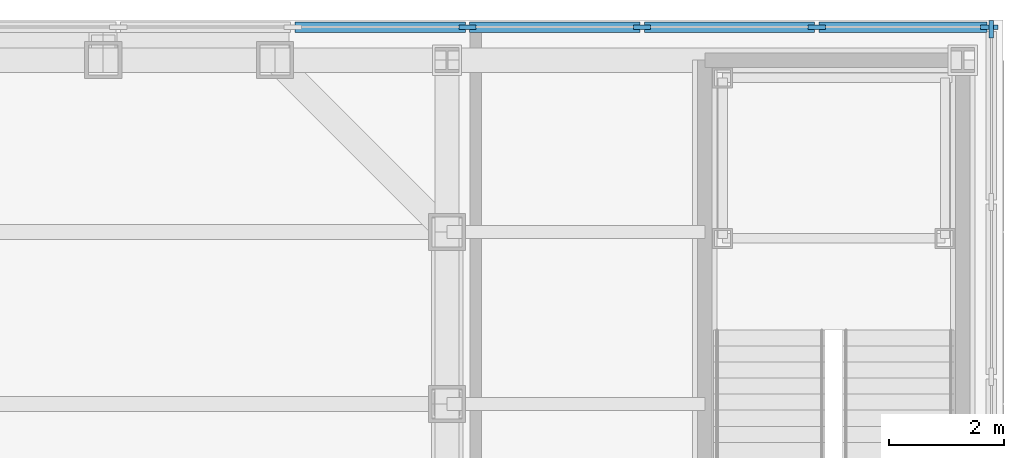
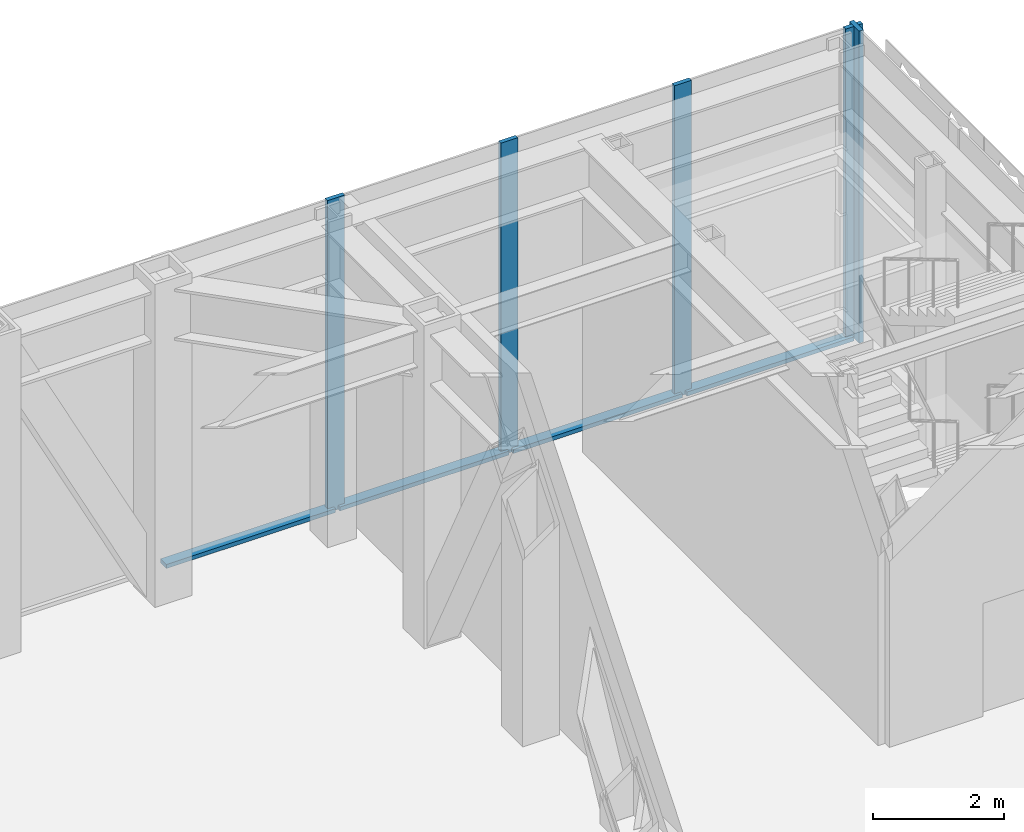
# One storey, part 12 of 32: 9 members, 2 elements without a shape of their own.
"""IFC4 building model written with IfcOpenShell, lengths in metres."""

from ifc_helpers import new_model, si_unit, direction, frame, origin, origin_2d, place, context, subcontext, project, spatial, rectangle, extrude, material, layer, layer_set, material_profile, profile_set, type_object, element, aggregate, save


model = new_model("IFC4")

# Units and contexts
model_context = context("Model", 3, precision=1e-05, world=origin(), true_north=direction((0.0, 1.0)))
body_context = subcontext(model_context, "Body", "Model", "MODEL_VIEW")
ifc_project = project(units=[si_unit("LENGTHUNIT", "METRE"), si_unit("AREAUNIT", "SQUARE_METRE"), si_unit("VOLUMEUNIT", "CUBIC_METRE"), si_unit("PLANEANGLEUNIT", "RADIAN"), si_unit("MASSUNIT", "GRAM", prefix="KILO")], contexts=[model_context])

# Site, building, storey
site_placement = place(None, origin())
site = spatial("IfcSite", under=ifc_project, at=site_placement, CompositionType="ELEMENT")
building_placement = place(site_placement, origin())
building = spatial("IfcBuilding", under=site, at=building_placement, Name="Chuquiago Exchange Tower", CompositionType="ELEMENT")
storey_placement = place(building_placement, frame((0.0, 0.0, 13.5)))
storey = spatial("IfcBuildingStorey", under=building, at=storey_placement, Name="L02", CompositionType="ELEMENT", Elevation=13.5)

# Curtain wall, member
ifc_material_1 = material(Name="Aluminium curtain wall system", Category="aluminium")
ifc_layer = layer(ifc_material_1, 0.300048828125)
ifc_layer_set = layer_set([ifc_layer], Name="CW4 podium curtain wall")
curtain_wall_type = type_object("IfcCurtainWallType", Name="CW4 podium curtain wall", PredefinedType="NOTDEFINED", material=ifc_layer_set)
curtain_wall_1_placement = place(storey_placement, origin())
curtain_wall_1 = element("IfcCurtainWall", 1, at=curtain_wall_1_placement, inside=storey, type_object=curtain_wall_type, Name="CW4 curtain wall L02", PredefinedType="NOTDEFINED")
ifc_material_2 = material(Name="Aluminium mullion, pale anodised", Category="aluminium")
ifc_material_profile_1 = material_profile(ifc_material_2, rectangle(XDim=0.074951171875, YDim=0.300048828125, at=origin_2d()), Name="AL 75x300")
ifc_profile_set_1 = profile_set([ifc_material_profile_1], Name="Aluminium mullion, pale anodised")
member_type_1 = type_object("IfcMemberType", Name="CW4-M mullion 75x300", PredefinedType="MULLION", material=ifc_profile_set_1)
member_1_placement = place(storey_placement, frame((54.5, 45.53759765625, 0.0), z_axis=(0.0, 0.0, 1.0), x_axis=(-1.0, 0.0, 0.0)))
member_1 = element("IfcMember", 2, at=member_1_placement, type_object=member_type_1, Name="CW4 mullion 22", PredefinedType="MULLION", context=body_context, shape_type="SweptSolid", body=[
    extrude(rectangle(XDim=0.074951171875, YDim=0.300048828125, at=origin_2d()), origin(), (0.0, 0.0, 1.0), 5.800048828125),
])
aggregate(curtain_wall_1, [member_1])

# Curtain wall, members
curtain_wall_2_placement = place(storey_placement, origin())
curtain_wall_2 = element("IfcCurtainWall", 3, at=curtain_wall_2_placement, inside=storey, type_object=curtain_wall_type, Name="CW4 curtain wall L02", PredefinedType="NOTDEFINED")
member_2_placement = place(storey_placement, frame((54.46240234375, 45.574951171875, 0.0), z_axis=(0.0, 0.0, 1.0), x_axis=(0.0, -1.0, 0.0)))
member_2 = element("IfcMember", 4, at=member_2_placement, type_object=member_type_1, Name="CW4 mullion 1", PredefinedType="MULLION", context=body_context, shape_type="SweptSolid", body=[
    extrude(rectangle(XDim=0.074951171875, YDim=0.300048828125, at=origin_2d()), origin(), (0.0, 0.0, 1.0), 5.800048828125),
])
member_3_placement = place(storey_placement, frame((51.452392578125, 45.574951171875, 0.0), z_axis=(0.0, 0.0, 1.0), x_axis=(0.0, -1.0, 0.0)))
member_3 = element("IfcMember", 5, at=member_3_placement, type_object=member_type_1, Name="CW4 mullion 2", PredefinedType="MULLION", context=body_context, shape_type="SweptSolid", body=[
    extrude(rectangle(XDim=0.074951171875, YDim=0.300048828125, at=origin_2d()), origin(), (0.0, 0.0, 1.0), 5.800048828125),
])
member_4_placement = place(storey_placement, frame((48.40478515625, 45.574951171875, 0.0), z_axis=(0.0, 0.0, 1.0), x_axis=(0.0, -1.0, 0.0)))
member_4 = element("IfcMember", 6, at=member_4_placement, type_object=member_type_1, Name="CW4 mullion 3", PredefinedType="MULLION", context=body_context, shape_type="SweptSolid", body=[
    extrude(rectangle(XDim=0.074951171875, YDim=0.300048828125, at=origin_2d()), origin(), (0.0, 0.0, 1.0), 5.800048828125),
])
member_5_placement = place(storey_placement, frame((45.357177734375, 45.574951171875, 0.0), z_axis=(0.0, 0.0, 1.0), x_axis=(0.0, -1.0, 0.0)))
member_5 = element("IfcMember", 7, at=member_5_placement, type_object=member_type_1, Name="CW4 mullion 4", PredefinedType="MULLION", context=body_context, shape_type="SweptSolid", body=[
    extrude(rectangle(XDim=0.074951171875, YDim=0.300048828125, at=origin_2d()), origin(), (0.0, 0.0, 1.0), 5.800048828125),
])
ifc_material_3 = material(Name="Aluminium transom, pale anodised", Category="aluminium")
ifc_material_profile_2 = material_profile(ifc_material_3, rectangle(XDim=0.179931640625, YDim=0.074951171875, at=origin_2d()), Name="AL 180x75")
ifc_profile_set_2 = profile_set([ifc_material_profile_2], Name="Aluminium transom, pale anodised")
member_type_2 = type_object("IfcMemberType", Name="CW4-T transom 75x180", PredefinedType="MULLION", material=ifc_profile_set_2)
member_6_placement = place(storey_placement, frame((54.425048828125, 45.574951171875, 0.03759765625), z_axis=(-1.0, 0.0, 0.0), x_axis=(0.0, -1.0, 0.0)))
member_6 = element("IfcMember", 8, at=member_6_placement, type_object=member_type_2, Name="CW4 transom 1.1", PredefinedType="MULLION", context=body_context, shape_type="SweptSolid", body=[
    extrude(rectangle(XDim=0.179931640625, YDim=0.074951171875, at=origin_2d()), origin(), (0.0, 0.0, 1.0), 2.93505859375),
])
member_7_placement = place(storey_placement, frame((51.414794921875, 45.574951171875, 0.03759765625), z_axis=(-1.0, 0.0, 0.0), x_axis=(0.0, -1.0, 0.0)))
member_7 = element("IfcMember", 9, at=member_7_placement, type_object=member_type_2, Name="CW4 transom 2.1", PredefinedType="MULLION", context=body_context, shape_type="SweptSolid", body=[
    extrude(rectangle(XDim=0.179931640625, YDim=0.074951171875, at=origin_2d()), origin(), (0.0, 0.0, 1.0), 2.972412109375),
])
member_8_placement = place(storey_placement, frame((48.3671875, 45.574951171875, 0.03759765625), z_axis=(-1.0, 0.0, 0.0), x_axis=(0.0, -1.0, 0.0)))
member_8 = element("IfcMember", 10, at=member_8_placement, type_object=member_type_2, Name="CW4 transom 3.1", PredefinedType="MULLION", context=body_context, shape_type="SweptSolid", body=[
    extrude(rectangle(XDim=0.179931640625, YDim=0.074951171875, at=origin_2d()), origin(), (0.0, 0.0, 1.0), 2.97265625),
])
member_9_placement = place(storey_placement, frame((45.319580078125, 45.574951171875, 0.03759765625), z_axis=(-1.0, 0.0, 0.0), x_axis=(0.0, -1.0, 0.0)))
member_9 = element("IfcMember", 11, at=member_9_placement, type_object=member_type_2, Name="CW4 transom 4.1", PredefinedType="MULLION", context=body_context, shape_type="SweptSolid", body=[
    extrude(rectangle(XDim=0.179931640625, YDim=0.074951171875, at=origin_2d()), origin(), (0.0, 0.0, 1.0), 2.97265625),
])
aggregate(curtain_wall_2, [member_2, member_3, member_4, member_5, member_6, member_7, member_8, member_9])

save(model, "model.ifc")
